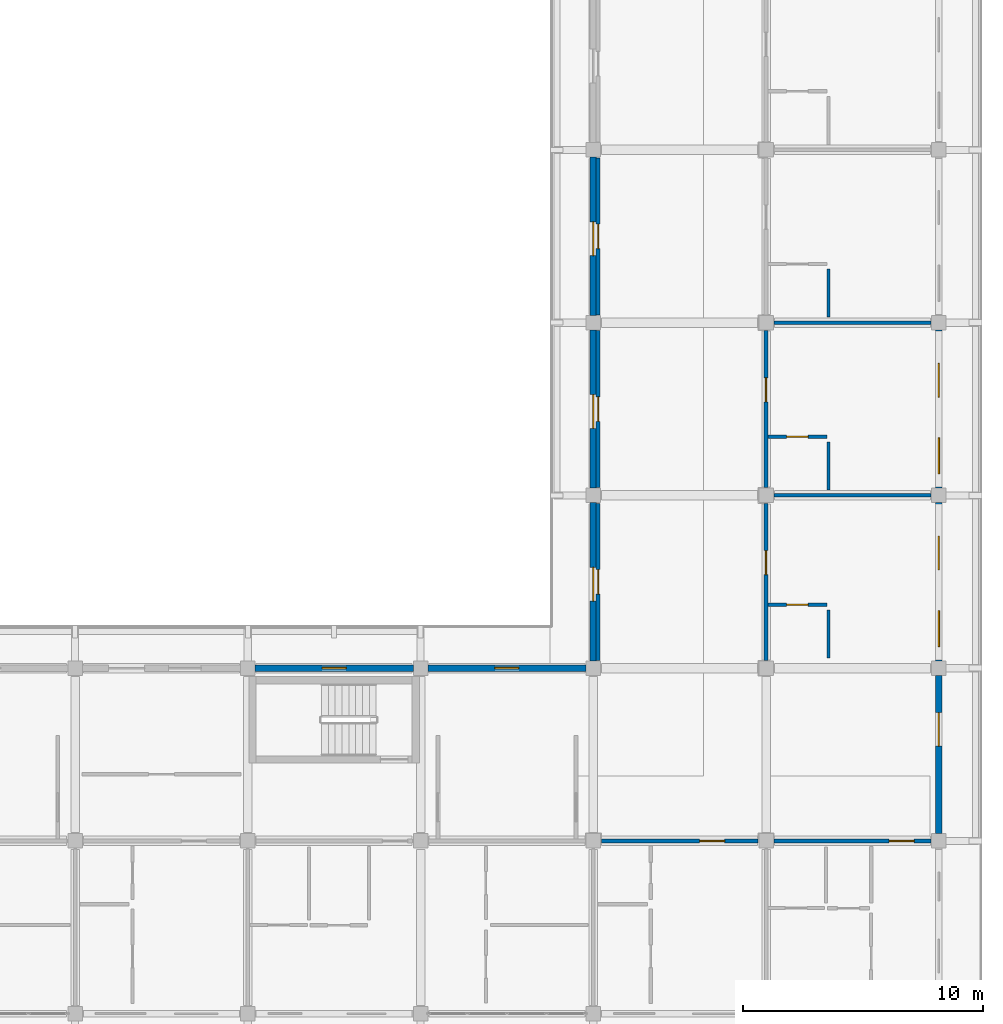
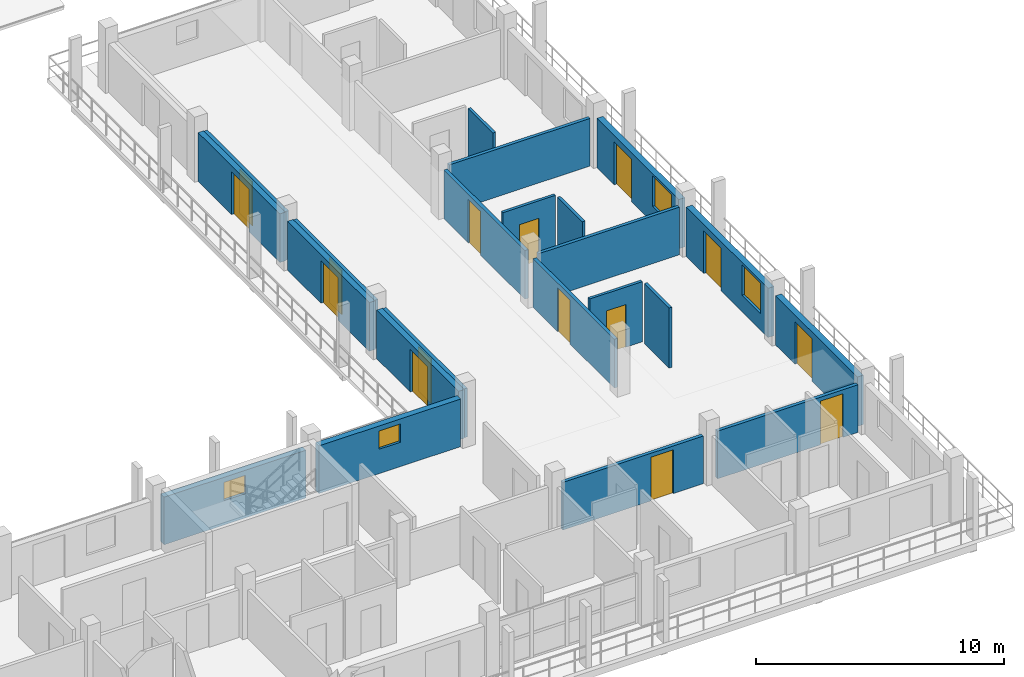
# One storey, part 131 of 157: 22 walls, 15 doors, 4 windows, 19 openings.
"""IFC4 building model written with IfcOpenShell, lengths in metres."""

import ifcopenshell
import ifcopenshell.guid

model = None  # the IFC model being written
_history = None  # IfcOwnerHistory: only IFC2X3 demands one
_inside = {}  # id of a spatial element -> (the spatial element, [elements in it])
_under = {}  # id of a project, library or spatial element -> (it, [spatial elements below it])
_declared = {}  # id of a project -> (the project, [libraries it declares])
_typed = {}  # id of a type object -> (the type object, [elements of that type])
_made_of = {}  # id of a material, layer set ... -> (it, [elements and type objects made of it])


def new_model(schema):
    """Start an empty IFC model of exactly this schema.

    Asked for "IFC4X3", IfcOpenShell would pick the latest addendum, in which some entities
    have other attributes; the version numbers below select the first issue.
    IFC2X3 requires an IfcOwnerHistory on every rooted entity: one is made here for all.
    """
    global model, _history
    if schema == "IFC4X3":
        model = ifcopenshell.file(schema_version=(4, 3, 0, 0))
    else:
        model = ifcopenshell.file(schema=schema)
    _inside.clear()
    _under.clear()
    _declared.clear()
    _typed.clear()
    _made_of.clear()
    _history = None
    if model.schema == "IFC2X3":
        org = make("IfcOrganization", Name="unknown")
        user = make(
            "IfcPersonAndOrganization",
            ThePerson=make("IfcPerson", FamilyName="unknown"),
            TheOrganization=org,
        )
        app = make(
            "IfcApplication",
            ApplicationDeveloper=org,
            Version="unknown",
            ApplicationFullName="unknown",
            ApplicationIdentifier="unknown",
        )
        _history = make(
            "IfcOwnerHistory",
            OwningUser=user,
            OwningApplication=app,
            ChangeAction="ADDED",
            CreationDate=0,
        )
    return model


def make(cls, **values):
    """One entity of the class cls with the attributes given. An attribute that is None is left unset."""
    return model.create_entity(
        cls, **{name: value for name, value in values.items() if value is not None}
    )


def rooted(cls, **values):
    """An entity with a GlobalId (a new one), such as an element, a storey or a relation."""
    return make(cls, GlobalId=ifcopenshell.guid.new(), OwnerHistory=_history, **values)


def si_unit(unit_type, name, prefix=None):
    """IfcSIUnit, for example si_unit("LENGTHUNIT", "METRE", prefix="MILLI")."""
    return make("IfcSIUnit", UnitType=unit_type, Prefix=prefix, Name=name)


def assignment(units):
    """IfcUnitAssignment: the units of a project."""
    return None if units is None else make("IfcUnitAssignment", Units=units)


def point(xyz):
    """IfcCartesianPoint."""
    return None if xyz is None else make("IfcCartesianPoint", Coordinates=xyz)


def direction(xyz):
    """IfcDirection."""
    return None if xyz is None else make("IfcDirection", DirectionRatios=xyz)


def frame(location, z_axis=None, x_axis=None):
    """IfcAxis2Placement3D, a coordinate frame: its origin and axes. An axis left out is left unset."""
    return make(
        "IfcAxis2Placement3D",
        Location=point(location),
        Axis=direction(z_axis),
        RefDirection=direction(x_axis),
    )


def frame_2d(location, x_axis=None):
    """IfcAxis2Placement2D, a coordinate frame in the plane: its origin and x axis."""
    return make(
        "IfcAxis2Placement2D", Location=point(location), RefDirection=direction(x_axis)
    )


def origin():
    """The frame at (0, 0, 0) with its axes left unset."""
    return frame((0.0, 0.0, 0.0))


def place(relative_to, where):
    """IfcLocalPlacement: puts the frame where relative to a parent placement (None: the world)."""
    return make(
        "IfcLocalPlacement", PlacementRelTo=relative_to, RelativePlacement=where
    )


def context(
    kind, dimensions, precision=None, world=None, true_north=None, identifier=None
):
    """IfcGeometricRepresentationContext, for example the 3D "Model" context."""
    return make(
        "IfcGeometricRepresentationContext",
        ContextIdentifier=identifier,
        ContextType=kind,
        CoordinateSpaceDimension=dimensions,
        Precision=precision,
        WorldCoordinateSystem=world,
        TrueNorth=true_north,
    )


def subcontext(parent, identifier, kind, view, scale=None):
    """IfcGeometricRepresentationSubContext, for example "Body" below "Model"."""
    return make(
        "IfcGeometricRepresentationSubContext",
        ContextIdentifier=identifier,
        ContextType=kind,
        ParentContext=parent,
        TargetScale=scale,
        TargetView=view,
    )


def project(units=None, contexts=None):
    """IfcProject with its units and contexts."""
    return rooted(
        "IfcProject",
        Name="project",
        RepresentationContexts=contexts,
        UnitsInContext=assignment(units),
    )


def spatial(cls, under=None, at=None, **own):
    """A site, building, storey or space (cls), placed at a placement, below another one or the project."""
    s = rooted(cls, ObjectPlacement=at, **own)
    if under is not None:
        _under.setdefault(under.id(), (under, []))[1].append(s)
    return s


def profile(cls, at=None, kind="AREA", **sizes):
    """A parametric profile (cls). Its sizes go by their IFC names, for example OverallWidth=200.0."""
    return make(cls, ProfileType=kind, Position=at, **sizes)


def rectangle(**sizes):
    """IfcRectangleProfileDef."""
    return profile("IfcRectangleProfileDef", **sizes)


def extrude(swept, where, along, depth):
    """IfcExtrudedAreaSolid: the profile swept, set in the frame where, extruded along a direction by depth."""
    return make(
        "IfcExtrudedAreaSolid",
        SweptArea=swept,
        Position=where,
        ExtrudedDirection=direction(along),
        Depth=depth,
    )


def shape(context_of_items, identifier, shape_type, items):
    """IfcShapeRepresentation: the items that make up one representation, for example the "Body"."""
    return make(
        "IfcShapeRepresentation",
        ContextOfItems=context_of_items,
        RepresentationIdentifier=identifier,
        RepresentationType=shape_type,
        Items=items,
    )


def material(Name=None, Category=None):
    """IfcMaterial."""
    return make("IfcMaterial", Name=Name, Category=Category)


def layer(
    of_material, thickness, ventilated=None, Name=None, Category=None, Priority=None
):
    """IfcMaterialLayer: one layer of a wall or slab, of a material (None: an air gap)."""
    return make(
        "IfcMaterialLayer",
        Material=of_material,
        LayerThickness=thickness,
        IsVentilated=ventilated,
        Name=Name,
        Category=Category,
        Priority=Priority,
    )


def layer_set(layers, Name=None):
    """IfcMaterialLayerSet."""
    return make("IfcMaterialLayerSet", MaterialLayers=layers, LayerSetName=Name)


def made_of(thing, what):
    """Note that an element or type object is made of a material, layer set ...; save() writes the relation."""
    if what is not None:
        _made_of.setdefault(what.id(), (what, []))[1].append(thing)
    return thing


def type_object(cls, material=None, **own):
    """A type object (cls), such as IfcWallType, which elements share."""
    return made_of(rooted(cls, **own), material)


def element(
    cls,
    number,
    at=None,
    inside=None,
    cuts=None,
    type_object=None,
    material=None,
    context=None,
    identifier="Body",
    shape_type=None,
    held_by="IfcProductDefinitionShape",
    body=None,
    shapes=None,
    **own,
):
    """One element of the class cls, such as IfcWall. Its Tag is "e" and its number.

    at: its placement. inside: the storey or other place that contains it. cuts: it is an
    opening in that element (IfcRelVoidsElement). A single representation is given by context,
    identifier, shape_type and body (its items); several are given by shapes. held_by: the class
    of the entity that holds the representations. save() writes the other relations.
    """
    e = rooted(cls, Tag="e%d" % number, ObjectPlacement=at, **own)
    if body is not None:
        shapes = [shape(context, identifier, shape_type, body)]
    if shapes is not None:
        e.Representation = make(held_by, Representations=shapes)
    if inside is not None:
        _inside.setdefault(inside.id(), (inside, []))[1].append(e)
    if cuts is not None:
        rooted(
            "IfcRelVoidsElement", RelatingBuildingElement=cuts, RelatedOpeningElement=e
        )
    if type_object is not None:
        _typed.setdefault(type_object.id(), (type_object, []))[1].append(e)
    return made_of(e, material)


def fill(opening, filler):
    """IfcRelFillsElement: the door or window that sits in an opening."""
    return rooted(
        "IfcRelFillsElement",
        RelatingOpeningElement=opening,
        RelatedBuildingElement=filler,
    )


def aggregate(whole, parts):
    """IfcRelAggregates: a whole, such as a stair, and the parts it consists of."""
    return rooted("IfcRelAggregates", RelatingObject=whole, RelatedObjects=parts)


def save(model, path):
    """Write the relations noted so far, then the file.

    IfcRelAggregates (storeys below a building ...), IfcRelContainedInSpatialStructure (elements
    in a storey), IfcRelDefinesByType, IfcRelAssociatesMaterial and IfcRelDeclares: one each for
    every whole, place, type object, material and project.
    """
    for whole, parts in _under.values():
        aggregate(whole, parts)
    for where, things in _inside.values():
        rooted(
            "IfcRelContainedInSpatialStructure",
            RelatedElements=things,
            RelatingStructure=where,
        )
    for kind, things in _typed.values():
        rooted("IfcRelDefinesByType", RelatedObjects=things, RelatingType=kind)
    for what, things in _made_of.values():
        rooted("IfcRelAssociatesMaterial", RelatedObjects=things, RelatingMaterial=what)
    for by, libraries in _declared.values():
        rooted("IfcRelDeclares", RelatingContext=by, RelatedDefinitions=libraries)
    model.write(path)


model = new_model("IFC4")

# Units and contexts
model_context = context("Model", 3, precision=1e-05, world=origin(), true_north=direction((0.0, 1.0)))
body_context = subcontext(model_context, "Body", "Model", "MODEL_VIEW")
ifc_project = project(units=[si_unit("LENGTHUNIT", "METRE"), si_unit("AREAUNIT", "SQUARE_METRE"), si_unit("VOLUMEUNIT", "CUBIC_METRE"), si_unit("PLANEANGLEUNIT", "RADIAN"), si_unit("MASSUNIT", "GRAM", prefix="KILO")], contexts=[model_context])

# Site, building, storey
site_placement = place(None, origin())
site = spatial("IfcSite", under=ifc_project, at=site_placement, CompositionType="ELEMENT")
building_placement = place(site_placement, origin())
building = spatial("IfcBuilding", under=site, at=building_placement, Name="Suanplinth Sawtooth Commons", CompositionType="ELEMENT")
storey_placement = place(building_placement, frame((0.0, 0.0, 9.0)))
storey = spatial("IfcBuildingStorey", under=building, at=storey_placement, Name="L02", CompositionType="ELEMENT", Elevation=9.0)

# Wall, opening, window
ifc_material_1 = material(Name="Precast concrete C40/50", Category="concrete")
ifc_layer_1 = layer(ifc_material_1, 0.280029296875, Name="Insulated precast architectural facade wall 280mm")
ifc_layer_set_1 = layer_set([ifc_layer_1], Name="Precast concrete C40/50")
wall_type_1 = type_object("IfcWallType", Name="W-EX01", PredefinedType="ELEMENTEDWALL", material=ifc_layer_set_1)
wall_1_placement = place(storey_placement, frame((158.699951171875, 14.39990234375, 0.0), z_axis=(0.0, 0.0, 1.0), x_axis=(1.0, 0.0, 0.0)))
wall_1 = element("IfcWall", 1, at=wall_1_placement, inside=storey, type_object=wall_type_1, Name="Facade Wall W-L02-C-N-22-1", PredefinedType="ELEMENTEDWALL", context=body_context, shape_type="SweptSolid", body=[
    extrude(rectangle(XDim=6.60009765625, YDim=0.280029296875, at=frame_2d((3.300048828125, 0.0))), origin(), (0.0, 0.0, 1.0), 2.344970703125),
])
opening_1_placement = place(wall_1_placement, frame((2.800048828125, 0.0, 1.199951171875)))
opening_1 = element("IfcOpeningElement", 2, at=opening_1_placement, cuts=wall_1, Name="Opening W0302", PredefinedType="OPENING", context=body_context, shape_type="SweptSolid", body=[
    extrude(rectangle(XDim=1.0, YDim=0.89990234375, at=frame_2d((0.5, 0.449951171875))), frame((0.0, 0.15478515625, 0.0), z_axis=(0.0, -1.0, 0.0), x_axis=(1.0, 0.0, 0.0)), (0.0, 0.0, 1.0), 0.309814453125),
])
ifc_material_2 = material(Name="Thermally broken aluminium and low-E double glazing", Category="aluminium")
window_type_1 = type_object("IfcWindowType", Name="WN-12", PartitioningType="SINGLE_PANEL", PredefinedType="WINDOW", material=ifc_material_2)
window_1_placement = place(opening_1_placement, origin())
window_1 = element("IfcWindow", 3, at=window_1_placement, inside=storey, type_object=window_type_1, Name="Core Daylight Window L02-C-22-1", OverallHeight=0.89990234375, OverallWidth=1.0, PartitioningType="SINGLE_PANEL", PredefinedType="WINDOW", context=body_context, shape_type="SweptSolid", body=[
    extrude(rectangle(XDim=1.0, YDim=0.89990234375, at=frame_2d((0.5, 0.449951171875))), frame((0.0, 0.030029296875, 0.0), z_axis=(0.0, -1.0, 0.0), x_axis=(1.0, 0.0, 0.0)), (0.0, 0.0, 1.0), 0.06005859375),
])
fill(opening_1, window_1)

wall_2_placement = place(storey_placement, frame((165.89990234375, 14.39990234375, 0.0), z_axis=(0.0, 0.0, 1.0), x_axis=(1.0, 0.0, 0.0)))
wall_2 = element("IfcWall", 4, at=wall_2_placement, inside=storey, type_object=wall_type_1, Name="Facade Wall W-L02-C-N-23-1", PredefinedType="ELEMENTEDWALL", context=body_context, shape_type="SweptSolid", body=[
    extrude(rectangle(XDim=6.60009765625, YDim=0.280029296875, at=frame_2d((3.300048828125, 0.0))), origin(), (0.0, 0.0, 1.0), 2.344970703125),
])
opening_2_placement = place(wall_2_placement, frame((2.800048828125, 0.0, 1.199951171875)))
opening_2 = element("IfcOpeningElement", 5, at=opening_2_placement, cuts=wall_2, Name="Opening W0303", PredefinedType="OPENING", context=body_context, shape_type="SweptSolid", body=[
    extrude(rectangle(XDim=1.0, YDim=0.89990234375, at=frame_2d((0.5, 0.449951171875))), frame((0.0, 0.15478515625, 0.0), z_axis=(0.0, -1.0, 0.0), x_axis=(1.0, 0.0, 0.0)), (0.0, 0.0, 1.0), 0.309814453125),
])
window_2_placement = place(opening_2_placement, origin())
window_2 = element("IfcWindow", 6, at=window_2_placement, inside=storey, type_object=window_type_1, Name="Core Daylight Window L02-C-23-1", OverallHeight=0.89990234375, OverallWidth=1.0, PartitioningType="SINGLE_PANEL", PredefinedType="WINDOW", context=body_context, shape_type="SweptSolid", body=[
    extrude(rectangle(XDim=1.0, YDim=0.89990234375, at=frame_2d((0.5, 0.449951171875))), frame((0.0, 0.030029296875, 0.0), z_axis=(0.0, -1.0, 0.0), x_axis=(1.0, 0.0, 0.0)), (0.0, 0.0, 1.0), 0.06005859375),
])
fill(opening_2, window_2)

# Wall, opening, door
wall_3_placement = place(storey_placement, frame((172.800048828125, 14.699951171875, 0.0), z_axis=(0.0, 0.0, 1.0), x_axis=(0.0, 1.0, 0.0)))
wall_3 = element("IfcWall", 7, at=wall_3_placement, inside=storey, type_object=wall_type_1, Name="Facade Wall W-L02-C-W-24-2", PredefinedType="ELEMENTEDWALL", context=body_context, shape_type="SweptSolid", body=[
    extrude(rectangle(XDim=6.60009765625, YDim=0.280029296875, at=frame_2d((3.300048828125, 0.0))), origin(), (0.0, 0.0, 1.0), 2.39501953125),
])
opening_3_placement = place(wall_3_placement, frame((2.5, 0.0, 0.0)))
opening_3 = element("IfcOpeningElement", 8, at=opening_3_placement, cuts=wall_3, Name="Opening ED0187", PredefinedType="OPENING", context=body_context, shape_type="SweptSolid", body=[
    extrude(rectangle(XDim=1.39990234375, YDim=2.10009765625, at=frame_2d((0.699951171875, 1.050048828125))), frame((0.0, 0.15478515625, 0.0), z_axis=(0.0, -1.0, 0.0), x_axis=(1.0, 0.0, 0.0)), (0.0, 0.0, 1.0), 0.309814453125),
])
ifc_material_3 = material(Name="Anodized aluminium and low-E glass", Category="aluminium")
door_type_1 = type_object("IfcDoorType", Name="SD-07", OperationType="SLIDING_TO_RIGHT", PredefinedType="DOOR", material=ifc_material_3)
door_1_placement = place(opening_3_placement, frame((1.39990234375, 0.0, 0.0), z_axis=(0.0, 0.0, 1.0), x_axis=(-1.0, 0.0, 0.0)))
door_1 = element("IfcDoor", 9, at=door_1_placement, inside=storey, type_object=door_type_1, Name="Courtyard Veranda Studio Balcony Door L02-C-2", OperationType="SLIDING_TO_RIGHT", OverallHeight=2.10009765625, OverallWidth=1.39990234375, PredefinedType="DOOR", context=body_context, shape_type="SweptSolid", body=[
    extrude(rectangle(XDim=1.39990234375, YDim=2.10009765625, at=frame_2d((0.699951171875, 1.050048828125))), frame((0.0, 0.02490234375, 0.0), z_axis=(0.0, -1.0, 0.0), x_axis=(1.0, 0.0, 0.0)), (0.0, 0.0, 1.0), 0.050048828125),
])
fill(opening_3, door_1)

wall_4_placement = place(storey_placement, frame((172.800048828125, 21.89990234375, 0.0), z_axis=(0.0, 0.0, 1.0), x_axis=(0.0, 1.0, 0.0)))
wall_4 = element("IfcWall", 10, at=wall_4_placement, inside=storey, type_object=wall_type_1, Name="Facade Wall W-L02-C-W-24-3", PredefinedType="ELEMENTEDWALL", context=body_context, shape_type="SweptSolid", body=[
    extrude(rectangle(XDim=6.60009765625, YDim=0.280029296875, at=frame_2d((3.300048828125, 0.0))), origin(), (0.0, 0.0, 1.0), 2.39501953125),
])
opening_4_placement = place(wall_4_placement, frame((2.5, 0.0, 0.0)))
opening_4 = element("IfcOpeningElement", 11, at=opening_4_placement, cuts=wall_4, Name="Opening ED0188", PredefinedType="OPENING", context=body_context, shape_type="SweptSolid", body=[
    extrude(rectangle(XDim=1.39990234375, YDim=2.10009765625, at=frame_2d((0.699951171875, 1.050048828125))), frame((0.0, 0.15478515625, 0.0), z_axis=(0.0, -1.0, 0.0), x_axis=(1.0, 0.0, 0.0)), (0.0, 0.0, 1.0), 0.309814453125),
])
door_2_placement = place(opening_4_placement, frame((1.39990234375, 0.0, 0.0), z_axis=(0.0, 0.0, 1.0), x_axis=(-1.0, 0.0, 0.0)))
door_2 = element("IfcDoor", 12, at=door_2_placement, inside=storey, type_object=door_type_1, Name="Courtyard Veranda Studio Balcony Door L02-C-3", OperationType="SLIDING_TO_RIGHT", OverallHeight=2.10009765625, OverallWidth=1.39990234375, PredefinedType="DOOR", context=body_context, shape_type="SweptSolid", body=[
    extrude(rectangle(XDim=1.39990234375, YDim=2.10009765625, at=frame_2d((0.699951171875, 1.050048828125))), frame((0.0, 0.02490234375, 0.0), z_axis=(0.0, -1.0, 0.0), x_axis=(1.0, 0.0, 0.0)), (0.0, 0.0, 1.0), 0.050048828125),
])
fill(opening_4, door_2)

wall_5_placement = place(storey_placement, frame((172.800048828125, 29.10009765625, 0.0), z_axis=(0.0, 0.0, 1.0), x_axis=(0.0, 1.0, 0.0)))
wall_5 = element("IfcWall", 13, at=wall_5_placement, inside=storey, type_object=wall_type_1, Name="Facade Wall W-L02-C-W-24-4", PredefinedType="ELEMENTEDWALL", context=body_context, shape_type="SweptSolid", body=[
    extrude(rectangle(XDim=6.599853515625, YDim=0.280029296875, at=frame_2d((3.2998046875, 0.0))), origin(), (0.0, 0.0, 1.0), 2.39501953125),
])
opening_5_placement = place(wall_5_placement, frame((2.5, 0.0, 0.0)))
opening_5 = element("IfcOpeningElement", 14, at=opening_5_placement, cuts=wall_5, Name="Opening ED0189", PredefinedType="OPENING", context=body_context, shape_type="SweptSolid", body=[
    extrude(rectangle(XDim=1.39990234375, YDim=2.10009765625, at=frame_2d((0.699951171875, 1.050048828125))), frame((0.0, 0.15478515625, 0.0), z_axis=(0.0, -1.0, 0.0), x_axis=(1.0, 0.0, 0.0)), (0.0, 0.0, 1.0), 0.309814453125),
])
door_3_placement = place(opening_5_placement, frame((1.39990234375, 0.0, 0.0), z_axis=(0.0, 0.0, 1.0), x_axis=(-1.0, 0.0, 0.0)))
door_3 = element("IfcDoor", 15, at=door_3_placement, inside=storey, type_object=door_type_1, Name="Courtyard Veranda Studio Balcony Door L02-C-4", OperationType="SLIDING_TO_RIGHT", OverallHeight=2.10009765625, OverallWidth=1.39990234375, PredefinedType="DOOR", context=body_context, shape_type="SweptSolid", body=[
    extrude(rectangle(XDim=1.39990234375, YDim=2.10009765625, at=frame_2d((0.699951171875, 1.050048828125))), frame((0.0, 0.02490234375, 0.0), z_axis=(0.0, -1.0, 0.0), x_axis=(1.0, 0.0, 0.0)), (0.0, 0.0, 1.0), 0.050048828125),
])
fill(opening_5, door_3)

wall_6_placement = place(storey_placement, frame((187.199951171875, 7.5, 0.0), z_axis=(0.0, 0.0, 1.0), x_axis=(0.0, 1.0, 0.0)))
wall_6 = element("IfcWall", 16, at=wall_6_placement, inside=storey, type_object=wall_type_1, Name="Facade Wall W-L02-C-E-25-1", PredefinedType="ELEMENTEDWALL", context=body_context, shape_type="SweptSolid", body=[
    extrude(rectangle(XDim=6.60009765625, YDim=0.280029296875, at=frame_2d((3.300048828125, 0.0))), origin(), (0.0, 0.0, 1.0), 2.425048828125),
])
opening_6_placement = place(wall_6_placement, frame((3.64990234375, 0.0, 0.0)))
opening_6 = element("IfcOpeningElement", 17, at=opening_6_placement, cuts=wall_6, Name="Opening ED0193", PredefinedType="OPENING", context=body_context, shape_type="SweptSolid", body=[
    extrude(rectangle(XDim=1.39990234375, YDim=2.10009765625, at=frame_2d((0.699951171875, 1.050048828125))), frame((0.0, 0.15478515625, 0.0), z_axis=(0.0, -1.0, 0.0), x_axis=(1.0, 0.0, 0.0)), (0.0, 0.0, 1.0), 0.309814453125),
])
door_4_placement = place(opening_6_placement, frame((1.39990234375, 0.0, 0.0), z_axis=(0.0, 0.0, 1.0), x_axis=(-1.0, 0.0, 0.0)))
door_4 = element("IfcDoor", 18, at=door_4_placement, inside=storey, type_object=door_type_1, Name="End Balcony Sliding Door L02-C-E-25-1", OperationType="SLIDING_TO_RIGHT", OverallHeight=2.10009765625, OverallWidth=1.39990234375, PredefinedType="DOOR", context=body_context, shape_type="SweptSolid", body=[
    extrude(rectangle(XDim=1.39990234375, YDim=2.10009765625, at=frame_2d((0.699951171875, 1.050048828125))), frame((0.0, 0.02490234375, 0.0), z_axis=(0.0, -1.0, 0.0), x_axis=(1.0, 0.0, 0.0)), (0.0, 0.0, 1.0), 0.050048828125),
])
fill(opening_6, door_4)

# Wall, openings, door, window
wall_7_placement = place(storey_placement, frame((187.199951171875, 14.699951171875, 0.0), z_axis=(0.0, 0.0, 1.0), x_axis=(0.0, 1.0, 0.0)))
wall_7 = element("IfcWall", 19, at=wall_7_placement, inside=storey, type_object=wall_type_1, Name="Facade Wall W-L02-C-E-25-2", PredefinedType="ELEMENTEDWALL", context=body_context, shape_type="SweptSolid", body=[
    extrude(rectangle(XDim=6.60009765625, YDim=0.280029296875, at=frame_2d((3.300048828125, 0.0))), origin(), (0.0, 0.0, 1.0), 2.425048828125),
])
opening_7_placement = place(wall_7_placement, frame((3.800048828125, 0.0, 0.0)))
opening_7 = element("IfcOpeningElement", 20, at=opening_7_placement, cuts=wall_7, Name="Opening ED0194", PredefinedType="OPENING", context=body_context, shape_type="SweptSolid", body=[
    extrude(rectangle(XDim=1.39990234375, YDim=2.10009765625, at=frame_2d((0.699951171875, 1.050048828125))), frame((0.0, 0.15478515625, 0.0), z_axis=(0.0, -1.0, 0.0), x_axis=(1.0, 0.0, 0.0)), (0.0, 0.0, 1.0), 0.309814453125),
])
opening_8_placement = place(wall_7_placement, frame((0.60009765625, 0.0, 0.81494140625)))
opening_8 = element("IfcOpeningElement", 21, at=opening_8_placement, cuts=wall_7, Name="Opening W0308", PredefinedType="OPENING", context=body_context, shape_type="SweptSolid", body=[
    extrude(rectangle(XDim=1.5, YDim=1.5, at=frame_2d((0.75, 0.75))), frame((0.0, 0.15478515625, 0.0), z_axis=(0.0, -1.0, 0.0), x_axis=(1.0, 0.0, 0.0)), (0.0, 0.0, 1.0), 0.309814453125),
])
door_5_placement = place(opening_7_placement, frame((1.39990234375, 0.0, 0.0), z_axis=(0.0, 0.0, 1.0), x_axis=(-1.0, 0.0, 0.0)))
door_5 = element("IfcDoor", 22, at=door_5_placement, inside=storey, type_object=door_type_1, Name="Wing Balcony Sliding Door L02-C-2", OperationType="SLIDING_TO_RIGHT", OverallHeight=2.10009765625, OverallWidth=1.39990234375, PredefinedType="DOOR", context=body_context, shape_type="SweptSolid", body=[
    extrude(rectangle(XDim=1.39990234375, YDim=2.10009765625, at=frame_2d((0.699951171875, 1.050048828125))), frame((0.0, 0.02490234375, 0.0), z_axis=(0.0, -1.0, 0.0), x_axis=(1.0, 0.0, 0.0)), (0.0, 0.0, 1.0), 0.050048828125),
])
fill(opening_7, door_5)
window_type_2 = type_object("IfcWindowType", Name="WN-02", PartitioningType="DOUBLE_PANEL_VERTICAL", PredefinedType="WINDOW", material=ifc_material_2)
window_3_placement = place(opening_8_placement, origin())
window_3 = element("IfcWindow", 23, at=window_3_placement, inside=storey, type_object=window_type_2, Name="Wing Window L02-C-2", OverallHeight=1.5, OverallWidth=1.5, PartitioningType="DOUBLE_PANEL_VERTICAL", PredefinedType="WINDOW", context=body_context, shape_type="SweptSolid", body=[
    extrude(rectangle(XDim=1.5, YDim=1.5, at=frame_2d((0.75, 0.75))), frame((0.0, 0.030029296875, 0.0), z_axis=(0.0, -1.0, 0.0), x_axis=(1.0, 0.0, 0.0)), (0.0, 0.0, 1.0), 0.06005859375),
])
fill(opening_8, window_3)

wall_8_placement = place(storey_placement, frame((187.199951171875, 21.89990234375, 0.0), z_axis=(0.0, 0.0, 1.0), x_axis=(0.0, 1.0, 0.0)))
wall_8 = element("IfcWall", 24, at=wall_8_placement, inside=storey, type_object=wall_type_1, Name="Facade Wall W-L02-C-E-25-3", PredefinedType="ELEMENTEDWALL", context=body_context, shape_type="SweptSolid", body=[
    extrude(rectangle(XDim=6.60009765625, YDim=0.280029296875, at=frame_2d((3.300048828125, 0.0))), origin(), (0.0, 0.0, 1.0), 2.425048828125),
])
opening_9_placement = place(wall_8_placement, frame((3.800048828125, 0.0, 0.0)))
opening_9 = element("IfcOpeningElement", 25, at=opening_9_placement, cuts=wall_8, Name="Opening ED0195", PredefinedType="OPENING", context=body_context, shape_type="SweptSolid", body=[
    extrude(rectangle(XDim=1.39990234375, YDim=2.10009765625, at=frame_2d((0.699951171875, 1.050048828125))), frame((0.0, 0.15478515625, 0.0), z_axis=(0.0, -1.0, 0.0), x_axis=(1.0, 0.0, 0.0)), (0.0, 0.0, 1.0), 0.309814453125),
])
opening_10_placement = place(wall_8_placement, frame((0.60009765625, 0.0, 0.81494140625)))
opening_10 = element("IfcOpeningElement", 26, at=opening_10_placement, cuts=wall_8, Name="Opening W0309", PredefinedType="OPENING", context=body_context, shape_type="SweptSolid", body=[
    extrude(rectangle(XDim=1.5, YDim=1.5, at=frame_2d((0.75, 0.75))), frame((0.0, 0.15478515625, 0.0), z_axis=(0.0, -1.0, 0.0), x_axis=(1.0, 0.0, 0.0)), (0.0, 0.0, 1.0), 0.309814453125),
])
door_6_placement = place(opening_9_placement, frame((1.39990234375, 0.0, 0.0), z_axis=(0.0, 0.0, 1.0), x_axis=(-1.0, 0.0, 0.0)))
door_6 = element("IfcDoor", 27, at=door_6_placement, inside=storey, type_object=door_type_1, Name="Wing Balcony Sliding Door L02-C-3", OperationType="SLIDING_TO_RIGHT", OverallHeight=2.10009765625, OverallWidth=1.39990234375, PredefinedType="DOOR", context=body_context, shape_type="SweptSolid", body=[
    extrude(rectangle(XDim=1.39990234375, YDim=2.10009765625, at=frame_2d((0.699951171875, 1.050048828125))), frame((0.0, 0.02490234375, 0.0), z_axis=(0.0, -1.0, 0.0), x_axis=(1.0, 0.0, 0.0)), (0.0, 0.0, 1.0), 0.050048828125),
])
fill(opening_9, door_6)
window_4_placement = place(opening_10_placement, origin())
window_4 = element("IfcWindow", 28, at=window_4_placement, inside=storey, type_object=window_type_2, Name="Wing Window L02-C-3", OverallHeight=1.5, OverallWidth=1.5, PartitioningType="DOUBLE_PANEL_VERTICAL", PredefinedType="WINDOW", context=body_context, shape_type="SweptSolid", body=[
    extrude(rectangle(XDim=1.5, YDim=1.5, at=frame_2d((0.75, 0.75))), frame((0.0, 0.030029296875, 0.0), z_axis=(0.0, -1.0, 0.0), x_axis=(1.0, 0.0, 0.0)), (0.0, 0.0, 1.0), 0.06005859375),
])
fill(opening_10, window_4)

# Wall, opening, door
ifc_layer_2 = layer(ifc_material_1, 0.159912109375, Name="Fire-rated corridor and lobby wall 160mm")
ifc_layer_set_2 = layer_set([ifc_layer_2], Name="Precast concrete C40/50")
wall_type_2 = type_object("IfcWallType", Name="W-FW01", PredefinedType="PARTITIONING", material=ifc_layer_set_2)
wall_9_placement = place(storey_placement, frame((173.1298828125, 7.199951171875, 0.0), z_axis=(0.0, 0.0, 1.0), x_axis=(1.0, 0.0, 0.0)))
wall_9 = element("IfcWall", 29, at=wall_9_placement, inside=storey, type_object=wall_type_2, Name="W-C-L02-U06-COR", PredefinedType="PARTITIONING", context=body_context, shape_type="SweptSolid", body=[
    extrude(rectangle(XDim=6.5400390625, YDim=0.159912109375, at=frame_2d((3.27001953125, 0.0))), origin(), (0.0, 0.0, 1.0), 2.344970703125),
])
opening_11_placement = place(wall_9_placement, frame((4.094970703125, 0.0, 0.0)))
opening_11 = element("IfcOpeningElement", 30, at=opening_11_placement, cuts=wall_9, Name="Opening FD0807", PredefinedType="OPENING", context=body_context, shape_type="SweptSolid", body=[
    extrude(rectangle(XDim=1.050048828125, YDim=2.14990234375, at=frame_2d((0.52490234375, 1.074951171875))), frame((0.0, 0.0947265625, 0.0), z_axis=(0.0, -1.0, 0.0), x_axis=(1.0, 0.0, 0.0)), (0.0, 0.0, 1.0), 0.189697265625),
])
ifc_material_4 = material(Name="Teak hardwood fire-rated door assembly", Category="wood")
door_type_2 = type_object("IfcDoorType", Name="FD-04", OperationType="NOTDEFINED", PredefinedType="DOOR", material=ifc_material_4)
door_7_placement = place(opening_11_placement, frame((1.050048828125, 0.0, 0.0), z_axis=(0.0, 0.0, 1.0), x_axis=(-1.0, 0.0, 0.0)))
door_7 = element("IfcDoor", 31, at=door_7_placement, inside=storey, type_object=door_type_2, Name="Unit Entrance Door FD0807", OperationType="SINGLE_SWING_LEFT", OverallHeight=2.14990234375, OverallWidth=1.050048828125, PredefinedType="DOOR", context=body_context, shape_type="SweptSolid", body=[
    extrude(rectangle(XDim=1.050048828125, YDim=2.14990234375, at=frame_2d((0.52490234375, 1.074951171875))), frame((0.0, 0.02490234375, 0.0), z_axis=(0.0, -1.0, 0.0), x_axis=(1.0, 0.0, 0.0)), (0.0, 0.0, 1.0), 0.050048828125),
])
fill(opening_11, door_7)

wall_10_placement = place(storey_placement, frame((180.330078125, 7.199951171875, 0.0), z_axis=(0.0, 0.0, 1.0), x_axis=(1.0, 0.0, 0.0)))
wall_10 = element("IfcWall", 32, at=wall_10_placement, inside=storey, type_object=wall_type_2, Name="W-C-L02-U07-COR", PredefinedType="PARTITIONING", context=body_context, shape_type="SweptSolid", body=[
    extrude(rectangle(XDim=6.5400390625, YDim=0.159912109375, at=frame_2d((3.27001953125, 0.0))), origin(), (0.0, 0.0, 1.0), 2.344970703125),
])
opening_12_placement = place(wall_10_placement, frame((4.794921875, 0.0, 0.0)))
opening_12 = element("IfcOpeningElement", 33, at=opening_12_placement, cuts=wall_10, Name="Opening FD0810", PredefinedType="OPENING", context=body_context, shape_type="SweptSolid", body=[
    extrude(rectangle(XDim=1.050048828125, YDim=2.14990234375, at=frame_2d((0.52490234375, 1.074951171875))), frame((0.0, 0.0947265625, 0.0), z_axis=(0.0, -1.0, 0.0), x_axis=(1.0, 0.0, 0.0)), (0.0, 0.0, 1.0), 0.189697265625),
])
door_8_placement = place(opening_12_placement, frame((1.050048828125, 0.0, 0.0), z_axis=(0.0, 0.0, 1.0), x_axis=(-1.0, 0.0, 0.0)))
door_8 = element("IfcDoor", 34, at=door_8_placement, inside=storey, type_object=door_type_2, Name="Unit Entrance Door FD0810", OperationType="SINGLE_SWING_RIGHT", OverallHeight=2.14990234375, OverallWidth=1.050048828125, PredefinedType="DOOR", context=body_context, shape_type="SweptSolid", body=[
    extrude(rectangle(XDim=1.050048828125, YDim=2.14990234375, at=frame_2d((0.52490234375, 1.074951171875))), frame((0.0, 0.02490234375, 0.0), z_axis=(0.0, -1.0, 0.0), x_axis=(1.0, 0.0, 0.0)), (0.0, 0.0, 1.0), 0.050048828125),
])
fill(opening_12, door_8)

wall_11_placement = place(storey_placement, frame((180.0, 14.72998046875, 0.0), z_axis=(0.0, 0.0, 1.0), x_axis=(0.0, 1.0, 0.0)))
wall_11 = element("IfcWall", 35, at=wall_11_placement, inside=storey, type_object=wall_type_2, Name="W-C-L02-L01-COR", PredefinedType="PARTITIONING", context=body_context, shape_type="SweptSolid", body=[
    extrude(rectangle(XDim=6.5400390625, YDim=0.159912109375, at=frame_2d((3.27001953125, 0.0))), origin(), (0.0, 0.0, 1.0), 2.39501953125),
])
opening_13_placement = place(wall_11_placement, frame((3.570068359375, 0.0, 0.0)))
opening_13 = element("IfcOpeningElement", 36, at=opening_13_placement, cuts=wall_11, Name="Opening FD0817", PredefinedType="OPENING", context=body_context, shape_type="SweptSolid", body=[
    extrude(rectangle(XDim=1.0, YDim=2.14990234375, at=frame_2d((0.5, 1.074951171875))), frame((0.0, 0.0947265625, 0.0), z_axis=(0.0, -1.0, 0.0), x_axis=(1.0, 0.0, 0.0)), (0.0, 0.0, 1.0), 0.189697265625),
])
door_type_3 = type_object("IfcDoorType", Name="FD-03", OperationType="NOTDEFINED", PredefinedType="DOOR", material=ifc_material_4)
door_9_placement = place(opening_13_placement, frame((1.0, 0.0, 0.0), z_axis=(0.0, 0.0, 1.0), x_axis=(-1.0, 0.0, 0.0)))
door_9 = element("IfcDoor", 37, at=door_9_placement, inside=storey, type_object=door_type_3, Name="Wing Unit Entrance Door FD0817", OperationType="SINGLE_SWING_LEFT", OverallHeight=2.14990234375, OverallWidth=1.0, PredefinedType="DOOR", context=body_context, shape_type="SweptSolid", body=[
    extrude(rectangle(XDim=1.0, YDim=2.14990234375, at=frame_2d((0.5, 1.074951171875))), frame((0.0, 0.02490234375, 0.0), z_axis=(0.0, -1.0, 0.0), x_axis=(1.0, 0.0, 0.0)), (0.0, 0.0, 1.0), 0.050048828125),
])
fill(opening_13, door_9)

wall_12_placement = place(storey_placement, frame((173.0, 14.72998046875, 0.0), z_axis=(0.0, 0.0, 1.0), x_axis=(0.0, 1.0, 0.0)))
wall_12 = element("IfcWall", 38, at=wall_12_placement, inside=storey, type_object=wall_type_2, Name="W-C-L02-LEGCOURTROOM-53-COR", PredefinedType="PARTITIONING", context=body_context, shape_type="SweptSolid", body=[
    extrude(rectangle(XDim=6.5400390625, YDim=0.159912109375, at=frame_2d((3.27001953125, 0.0))), origin(), (0.0, 0.0, 1.0), 2.39501953125),
])
opening_14_placement = place(wall_12_placement, frame((2.760009765625, 0.0, 0.0)))
opening_14 = element("IfcOpeningElement", 39, at=opening_14_placement, cuts=wall_12, Name="Opening D0819", PredefinedType="OPENING", context=body_context, shape_type="SweptSolid", body=[
    extrude(rectangle(XDim=1.02001953125, YDim=2.179931640625, at=frame_2d((0.510009765625, 1.08984375))), frame((0.0, 0.0947265625, 0.0), z_axis=(0.0, -1.0, 0.0), x_axis=(1.0, 0.0, 0.0)), (0.0, 0.0, 1.0), 0.189697265625),
])
ifc_material_5 = material(Name="Teak hardwood", Category="wood")
door_type_4 = type_object("IfcDoorType", Name="D-16", OperationType="NOTDEFINED", PredefinedType="DOOR", material=ifc_material_5)
door_10_placement = place(opening_14_placement, origin())
door_10 = element("IfcDoor", 40, at=door_10_placement, inside=storey, type_object=door_type_4, Name="Veranda Studio Door D0819", OperationType="SINGLE_SWING_LEFT", OverallHeight=2.179931640625, OverallWidth=1.02001953125, PredefinedType="DOOR", context=body_context, shape_type="SweptSolid", body=[
    extrude(rectangle(XDim=1.02001953125, YDim=2.179931640625, at=frame_2d((0.510009765625, 1.08984375))), frame((0.0, 0.02490234375, 0.0), z_axis=(0.0, -1.0, 0.0), x_axis=(1.0, 0.0, 0.0)), (0.0, 0.0, 1.0), 0.050048828125),
])
fill(opening_14, door_10)

wall_13_placement = place(storey_placement, frame((180.0, 21.929931640625, 0.0), z_axis=(0.0, 0.0, 1.0), x_axis=(0.0, 1.0, 0.0)))
wall_13 = element("IfcWall", 41, at=wall_13_placement, inside=storey, type_object=wall_type_2, Name="W-C-L02-L02-COR", PredefinedType="PARTITIONING", context=body_context, shape_type="SweptSolid", body=[
    extrude(rectangle(XDim=6.5400390625, YDim=0.159912109375, at=frame_2d((3.27001953125, 0.0))), origin(), (0.0, 0.0, 1.0), 2.39501953125),
])
opening_15_placement = place(wall_13_placement, frame((3.570068359375, 0.0, 0.0)))
opening_15 = element("IfcOpeningElement", 42, at=opening_15_placement, cuts=wall_13, Name="Opening FD0820", PredefinedType="OPENING", context=body_context, shape_type="SweptSolid", body=[
    extrude(rectangle(XDim=1.0, YDim=2.14990234375, at=frame_2d((0.5, 1.074951171875))), frame((0.0, 0.0947265625, 0.0), z_axis=(0.0, -1.0, 0.0), x_axis=(1.0, 0.0, 0.0)), (0.0, 0.0, 1.0), 0.189697265625),
])
door_11_placement = place(opening_15_placement, frame((1.0, 0.0, 0.0), z_axis=(0.0, 0.0, 1.0), x_axis=(-1.0, 0.0, 0.0)))
door_11 = element("IfcDoor", 43, at=door_11_placement, inside=storey, type_object=door_type_3, Name="Wing Unit Entrance Door FD0820", OperationType="SINGLE_SWING_RIGHT", OverallHeight=2.14990234375, OverallWidth=1.0, PredefinedType="DOOR", context=body_context, shape_type="SweptSolid", body=[
    extrude(rectangle(XDim=1.0, YDim=2.14990234375, at=frame_2d((0.5, 1.074951171875))), frame((0.0, 0.02490234375, 0.0), z_axis=(0.0, -1.0, 0.0), x_axis=(1.0, 0.0, 0.0)), (0.0, 0.0, 1.0), 0.050048828125),
])
fill(opening_15, door_11)

wall_14_placement = place(storey_placement, frame((173.0, 21.929931640625, 0.0), z_axis=(0.0, 0.0, 1.0), x_axis=(0.0, 1.0, 0.0)))
wall_14 = element("IfcWall", 44, at=wall_14_placement, inside=storey, type_object=wall_type_2, Name="W-C-L02-LEGCOURTROOM-55-COR", PredefinedType="PARTITIONING", context=body_context, shape_type="SweptSolid", body=[
    extrude(rectangle(XDim=6.5400390625, YDim=0.159912109375, at=frame_2d((3.27001953125, 0.0))), origin(), (0.0, 0.0, 1.0), 2.39501953125),
])
opening_16_placement = place(wall_14_placement, frame((2.760009765625, 0.0, 0.0)))
opening_16 = element("IfcOpeningElement", 45, at=opening_16_placement, cuts=wall_14, Name="Opening D0822", PredefinedType="OPENING", context=body_context, shape_type="SweptSolid", body=[
    extrude(rectangle(XDim=1.02001953125, YDim=2.179931640625, at=frame_2d((0.510009765625, 1.08984375))), frame((0.0, 0.0947265625, 0.0), z_axis=(0.0, -1.0, 0.0), x_axis=(1.0, 0.0, 0.0)), (0.0, 0.0, 1.0), 0.189697265625),
])
door_12_placement = place(opening_16_placement, origin())
door_12 = element("IfcDoor", 46, at=door_12_placement, inside=storey, type_object=door_type_4, Name="Veranda Studio Door D0822", OperationType="SINGLE_SWING_RIGHT", OverallHeight=2.179931640625, OverallWidth=1.02001953125, PredefinedType="DOOR", context=body_context, shape_type="SweptSolid", body=[
    extrude(rectangle(XDim=1.02001953125, YDim=2.179931640625, at=frame_2d((0.510009765625, 1.08984375))), frame((0.0, 0.02490234375, 0.0), z_axis=(0.0, -1.0, 0.0), x_axis=(1.0, 0.0, 0.0)), (0.0, 0.0, 1.0), 0.050048828125),
])
fill(opening_16, door_12)

wall_15_placement = place(storey_placement, frame((173.0, 29.1298828125, 0.0), z_axis=(0.0, 0.0, 1.0), x_axis=(0.0, 1.0, 0.0)))
wall_15 = element("IfcWall", 47, at=wall_15_placement, inside=storey, type_object=wall_type_2, Name="W-C-L02-LEGCOURTROOM-57-COR", PredefinedType="PARTITIONING", context=body_context, shape_type="SweptSolid", body=[
    extrude(rectangle(XDim=6.5400390625, YDim=0.159912109375, at=frame_2d((3.27001953125, 0.0))), origin(), (0.0, 0.0, 1.0), 2.39501953125),
])
opening_17_placement = place(wall_15_placement, frame((2.760009765625, 0.0, 0.0)))
opening_17 = element("IfcOpeningElement", 48, at=opening_17_placement, cuts=wall_15, Name="Opening D0825", PredefinedType="OPENING", context=body_context, shape_type="SweptSolid", body=[
    extrude(rectangle(XDim=1.02001953125, YDim=2.179931640625, at=frame_2d((0.510009765625, 1.08984375))), frame((0.0, 0.0947265625, 0.0), z_axis=(0.0, -1.0, 0.0), x_axis=(1.0, 0.0, 0.0)), (0.0, 0.0, 1.0), 0.189697265625),
])
door_13_placement = place(opening_17_placement, origin())
door_13 = element("IfcDoor", 49, at=door_13_placement, inside=storey, type_object=door_type_4, Name="Veranda Studio Door D0825", OperationType="SINGLE_SWING_LEFT", OverallHeight=2.179931640625, OverallWidth=1.02001953125, PredefinedType="DOOR", context=body_context, shape_type="SweptSolid", body=[
    extrude(rectangle(XDim=1.02001953125, YDim=2.179931640625, at=frame_2d((0.510009765625, 1.08984375))), frame((0.0, 0.02490234375, 0.0), z_axis=(0.0, -1.0, 0.0), x_axis=(1.0, 0.0, 0.0)), (0.0, 0.0, 1.0), 0.050048828125),
])
fill(opening_17, door_13)

# Walls
ifc_layer_3 = layer(ifc_material_1, 0.14990234375, Name="Acoustic precast party demising wall 150mm")
ifc_layer_set_3 = layer_set([ifc_layer_3], Name="Precast concrete C40/50")
wall_type_3 = type_object("IfcWallType", Name="W-FW02", PredefinedType="PARTITIONING", material=ifc_layer_set_3)
for number, where, z_axis, x_axis, name in (
    (50, (180.330078125, 21.60009765625, 0.0), (0.0, 0.0, 1.0), (1.0, 0.0, 0.0), "W-C-L02-L01-PTY"),
    (51, (180.330078125, 28.800048828125, 0.0), (0.0, 0.0, 1.0), (1.0, 0.0, 0.0), "W-C-L02-L02-PTY"),
):
    element("IfcWall", number, at=place(storey_placement, frame(where, z_axis=z_axis, x_axis=x_axis)), inside=storey, type_object=wall_type_3, Name=name, PredefinedType="PARTITIONING", context=body_context, shape_type="SweptSolid", body=[
        extrude(rectangle(XDim=6.5400390625, YDim=0.14990234375, at=frame_2d((3.27001953125, 0.0))), origin(), (0.0, 0.0, 1.0), 2.344970703125),
    ])

# Wall, opening, door
ifc_material_6 = material(Name="Gypsum plasterboard on steel stud", Category="steel")
ifc_layer_4 = layer(ifc_material_6, 0.1298828125, Name="Moisture-resistant bathroom partition 130mm")
ifc_layer_set_4 = layer_set([ifc_layer_4], Name="Gypsum plasterboard on steel stud")
wall_type_4 = type_object("IfcWallType", Name="W-PT02", PredefinedType="PARTITIONING", material=ifc_layer_set_4)
wall_16_placement = place(storey_placement, frame((180.080078125, 17.044921875, 0.0), z_axis=(0.0, 0.0, 1.0), x_axis=(1.0, 0.0, 0.0)))
wall_16 = element("IfcWall", 52, at=wall_16_placement, inside=storey, type_object=wall_type_4, Name="W-C-L02-L01-BTH1", PredefinedType="PARTITIONING", context=body_context, shape_type="SweptSolid", body=[
    extrude(rectangle(XDim=2.449951171875, YDim=0.1298828125, at=frame_2d((1.22509765625, 0.0))), origin(), (0.0, 0.0, 1.0), 2.9599609375),
])
opening_18_placement = place(wall_16_placement, frame((0.77490234375, 0.0, 0.0)))
opening_18 = element("IfcOpeningElement", 53, at=opening_18_placement, cuts=wall_16, Name="Opening D0818", PredefinedType="OPENING", context=body_context, shape_type="SweptSolid", body=[
    extrude(rectangle(XDim=0.89990234375, YDim=2.10009765625, at=frame_2d((0.449951171875, 1.050048828125))), frame((0.0, 0.079833984375, 0.0), z_axis=(0.0, -1.0, 0.0), x_axis=(1.0, 0.0, 0.0)), (0.0, 0.0, 1.0), 0.15966796875),
])
door_type_5 = type_object("IfcDoorType", Name="D-01", OperationType="NOTDEFINED", PredefinedType="DOOR", material=ifc_material_5)
door_14_placement = place(opening_18_placement, frame((0.89990234375, 0.0, 0.0), z_axis=(0.0, 0.0, 1.0), x_axis=(-1.0, 0.0, 0.0)))
door_14 = element("IfcDoor", 54, at=door_14_placement, inside=storey, type_object=door_type_5, Name="Bathroom Door D0818", OperationType="SINGLE_SWING_RIGHT", OverallHeight=2.10009765625, OverallWidth=0.89990234375, PredefinedType="DOOR", context=body_context, shape_type="SweptSolid", body=[
    extrude(rectangle(XDim=0.89990234375, YDim=2.10009765625, at=frame_2d((0.449951171875, 1.050048828125))), frame((0.0, 0.02490234375, 0.0), z_axis=(0.0, -1.0, 0.0), x_axis=(1.0, 0.0, 0.0)), (0.0, 0.0, 1.0), 0.050048828125),
])
fill(opening_18, door_14)

# Wall
wall_17_placement = place(storey_placement, frame((182.594970703125, 14.830078125, 0.0), z_axis=(0.0, 0.0, 1.0), x_axis=(0.0, 1.0, 0.0)))
element("IfcWall", 55, at=wall_17_placement, inside=storey, type_object=wall_type_4, Name="W-C-L02-L01-BTH2", PredefinedType="PARTITIONING", context=body_context, shape_type="SweptSolid", body=[
    extrude(rectangle(XDim=2.0, YDim=0.1298828125, at=frame_2d((1.0, 0.0))), origin(), (0.0, 0.0, 1.0), 2.9599609375),
])

# Wall, opening, door
wall_18_placement = place(storey_placement, frame((180.080078125, 24.044921875, 0.0), z_axis=(0.0, 0.0, 1.0), x_axis=(1.0, 0.0, 0.0)))
wall_18 = element("IfcWall", 56, at=wall_18_placement, inside=storey, type_object=wall_type_4, Name="W-C-L02-L02-BTH1", PredefinedType="PARTITIONING", context=body_context, shape_type="SweptSolid", body=[
    extrude(rectangle(XDim=2.449951171875, YDim=0.1298828125, at=frame_2d((1.22509765625, 0.0))), origin(), (0.0, 0.0, 1.0), 2.9599609375),
])
opening_19_placement = place(wall_18_placement, frame((0.77490234375, 0.0, 0.0)))
opening_19 = element("IfcOpeningElement", 57, at=opening_19_placement, cuts=wall_18, Name="Opening D0821", PredefinedType="OPENING", context=body_context, shape_type="SweptSolid", body=[
    extrude(rectangle(XDim=0.89990234375, YDim=2.10009765625, at=frame_2d((0.449951171875, 1.050048828125))), frame((0.0, 0.079833984375, 0.0), z_axis=(0.0, -1.0, 0.0), x_axis=(1.0, 0.0, 0.0)), (0.0, 0.0, 1.0), 0.15966796875),
])
door_15_placement = place(opening_19_placement, frame((0.89990234375, 0.0, 0.0), z_axis=(0.0, 0.0, 1.0), x_axis=(-1.0, 0.0, 0.0)))
door_15 = element("IfcDoor", 58, at=door_15_placement, inside=storey, type_object=door_type_5, Name="Bathroom Door D0821", OperationType="SINGLE_SWING_LEFT", OverallHeight=2.10009765625, OverallWidth=0.89990234375, PredefinedType="DOOR", context=body_context, shape_type="SweptSolid", body=[
    extrude(rectangle(XDim=0.89990234375, YDim=2.10009765625, at=frame_2d((0.449951171875, 1.050048828125))), frame((0.0, 0.02490234375, 0.0), z_axis=(0.0, -1.0, 0.0), x_axis=(1.0, 0.0, 0.0)), (0.0, 0.0, 1.0), 0.050048828125),
])
fill(opening_19, door_15)

# Walls
for number, where, z_axis, x_axis, name in (
    (59, (182.594970703125, 21.830078125, 0.0), (0.0, 0.0, 1.0), (0.0, 1.0, 0.0), "W-C-L02-L02-BTH2"),
    (60, (182.594970703125, 29.030029296875, 0.0), (0.0, 0.0, 1.0), (0.0, 1.0, 0.0), "W-C-L02-L03-BTH2"),
):
    element("IfcWall", number, at=place(storey_placement, frame(where, z_axis=z_axis, x_axis=x_axis)), inside=storey, type_object=wall_type_4, Name=name, PredefinedType="PARTITIONING", context=body_context, shape_type="SweptSolid", body=[
        extrude(rectangle(XDim=2.0, YDim=0.1298828125, at=frame_2d((1.0, 0.0))), origin(), (0.0, 0.0, 1.0), 2.9599609375),
    ])

save(model, "model.ifc")
